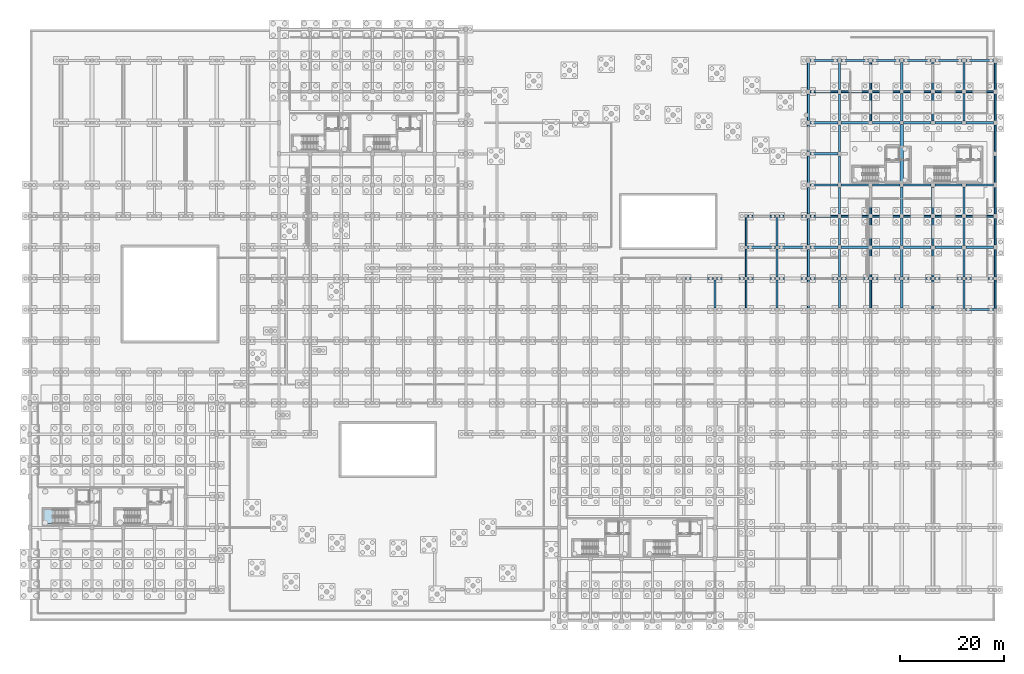
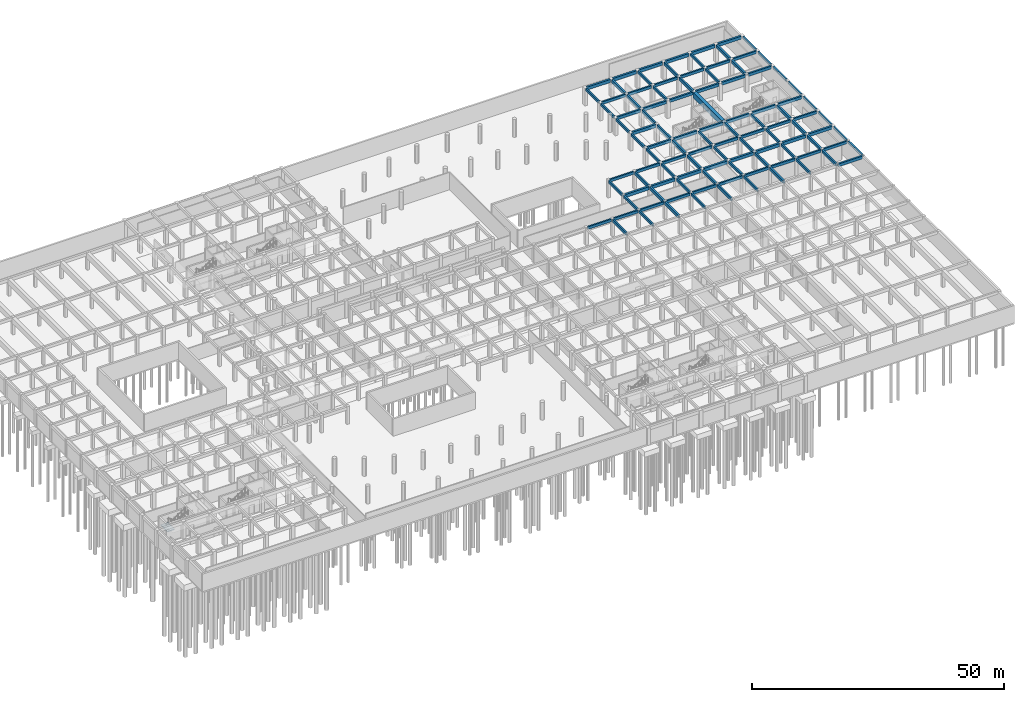
# One storey, part 21 of 41: 108 beams, 1 slab, 1 element without a shape of its own.
"""IFC4 building model written with IfcOpenShell, lengths in metres."""

from ifc_helpers import new_model, si_unit, direction, frame, origin, origin_2d, place, context, subcontext, project, spatial, polyline, rectangle, outline, extrude, material, layer, layer_set, material_profile, profile_set, type_object, element, aggregate, save


model = new_model("IFC4")

# Units and contexts
model_context = context("Model", 3, precision=1e-05, world=origin(), true_north=direction((0.0, 1.0)))
body_context = subcontext(model_context, "Body", "Model", "MODEL_VIEW")
ifc_project = project(units=[si_unit("LENGTHUNIT", "METRE"), si_unit("AREAUNIT", "SQUARE_METRE"), si_unit("VOLUMEUNIT", "CUBIC_METRE"), si_unit("PLANEANGLEUNIT", "RADIAN"), si_unit("MASSUNIT", "GRAM", prefix="KILO"), si_unit("POWERUNIT", "WATT"), si_unit("THERMODYNAMICTEMPERATUREUNIT", "KELVIN")], contexts=[model_context])

# Site, building, storey
site_placement = place(None, origin())
site = spatial("IfcSite", under=ifc_project, at=site_placement, CompositionType="ELEMENT")
building_placement = place(site_placement, origin())
building = spatial("IfcBuilding", under=site, at=building_placement, Name="Ruvembo Vaulted Housing Court", CompositionType="ELEMENT")
storey_placement = place(building_placement, frame((0.0, 0.0, -4.5)))
storey = spatial("IfcBuildingStorey", under=building, at=storey_placement, Name="B1", CompositionType="ELEMENT", Elevation=-4.5)

# Beams
ifc_material_1 = material(Name="Concrete C35/45", Category="concrete")
ifc_material_profile_1 = material_profile(ifc_material_1, rectangle(XDim=0.35009765625, YDim=0.60009765625, at=origin_2d()), Name="RC 350x600")
ifc_profile_set_1 = profile_set([ifc_material_profile_1], Name="Concrete C35/45")
beam_type_1 = type_object("IfcBeamType", Name="BM-RC-350x600", PredefinedType="BEAM", material=ifc_profile_set_1)
for number, where, z_axis, x_axis, name in (
    (1, (138.0, 60.284912109375, 3.9150390625), (0.0, 1.0, 0.0), (-1.0, 0.0, 0.0), "B1 Grid Beam Y #623"),
    (2, (138.0, 66.284912109375, 3.9150390625), (0.0, 1.0, 0.0), (-1.0, 0.0, 0.0), "B1 Grid Beam Y #624"),
    (3, (138.0, 72.284912109375, 3.9150390625), (0.0, 1.0, 0.0), (-1.0, 0.0, 0.0), "B1 Grid Beam Y #625"),
    (4, (150.0, 60.284912109375, 3.9150390625), (0.0, 1.0, 0.0), (-1.0, 0.0, 0.0), "B1 Grid Beam Y #643"),
):
    element("IfcBeam", number, at=place(storey_placement, frame(where, z_axis=z_axis, x_axis=x_axis)), inside=storey, type_object=beam_type_1, Name=name, PredefinedType="BEAM", context=body_context, shape_type="SweptSolid", body=[
        extrude(rectangle(XDim=0.35009765625, YDim=0.60009765625, at=origin_2d()), origin(), (0.0, 0.0, 1.0), 5.43017578125),
    ])
beam_1_placement = place(storey_placement, frame((150.0, 66.284912109375, 3.9150390625), z_axis=(0.0, 1.0, 0.0), x_axis=(-1.0, 0.0, 0.0)))
element("IfcBeam", 5, at=beam_1_placement, inside=storey, type_object=beam_type_1, Name="B1 Grid Beam Y #644", PredefinedType="BEAM", context=body_context, shape_type="SweptSolid", body=[
    extrude(rectangle(XDim=0.35009765625, YDim=0.60009765625, at=origin_2d()), origin(), (0.0, 0.0, 1.0), 5.280029296875),
])
for number, where, z_axis, x_axis, name in (
    (6, (150.0, 72.43505859375, 3.9150390625), (0.0, 1.0, 0.0), (-1.0, 0.0, 0.0), "B1 Grid Beam Y #645"),
    (7, (150.0, 78.43505859375, 3.9150390625), (0.0, 1.0, 0.0), (-1.0, 0.0, 0.0), "B1 Grid Beam Y #646"),
    (8, (150.0, 84.43505859375, 3.9150390625), (0.0, 1.0, 0.0), (-1.0, 0.0, 0.0), "B1 Grid Beam Y #647"),
    (9, (150.0, 90.43505859375, 3.9150390625), (0.0, 1.0, 0.0), (-1.0, 0.0, 0.0), "B1 Grid Beam Y #648"),
    (10, (150.0, 96.43505859375, 3.9150390625), (0.0, 1.0, 0.0), (-1.0, 0.0, 0.0), "B1 Grid Beam Y #649"),
    (11, (150.0, 102.43505859375, 3.9150390625), (0.0, 1.0, 0.0), (-1.0, 0.0, 0.0), "B1 Grid Beam Y #650"),
):
    element("IfcBeam", number, at=place(storey_placement, frame(where, z_axis=z_axis, x_axis=x_axis)), inside=storey, type_object=beam_type_1, Name=name, PredefinedType="BEAM", context=body_context, shape_type="SweptSolid", body=[
        extrude(rectangle(XDim=0.35009765625, YDim=0.60009765625, at=origin_2d()), origin(), (0.0, 0.0, 1.0), 5.1298828125),
    ])
beam_2_placement = place(storey_placement, frame((162.0, 60.284912109375, 3.9150390625), z_axis=(0.0, 1.0, 0.0), x_axis=(-1.0, 0.0, 0.0)))
element("IfcBeam", 12, at=beam_2_placement, inside=storey, type_object=beam_type_1, Name="B1 Grid Beam Y #673", PredefinedType="BEAM", context=body_context, shape_type="SweptSolid", body=[
    extrude(rectangle(XDim=0.35009765625, YDim=0.60009765625, at=origin_2d()), origin(), (0.0, 0.0, 1.0), 5.43017578125),
])
beam_3_placement = place(storey_placement, frame((162.0, 66.284912109375, 3.9150390625), z_axis=(0.0, 1.0, 0.0), x_axis=(-1.0, 0.0, 0.0)))
element("IfcBeam", 13, at=beam_3_placement, inside=storey, type_object=beam_type_1, Name="B1 Grid Beam Y #674", PredefinedType="BEAM", context=body_context, shape_type="SweptSolid", body=[
    extrude(rectangle(XDim=0.35009765625, YDim=0.60009765625, at=origin_2d()), origin(), (0.0, 0.0, 1.0), 5.35498046875),
])
for number, where, z_axis, x_axis, name in (
    (14, (162.0, 72.360107421875, 3.9150390625), (0.0, 1.0, 0.0), (-1.0, 0.0, 0.0), "B1 Grid Beam Y #675"),
    (15, (162.0, 78.360107421875, 3.9150390625), (0.0, 1.0, 0.0), (-1.0, 0.0, 0.0), "B1 Grid Beam Y #676"),
    (16, (162.0, 96.360107421875, 3.9150390625), (0.0, 1.0, 0.0), (-1.0, 0.0, 0.0), "B1 Grid Beam Y #677"),
    (17, (162.0, 102.360107421875, 3.9150390625), (0.0, 1.0, 0.0), (-1.0, 0.0, 0.0), "B1 Grid Beam Y #678"),
):
    element("IfcBeam", number, at=place(storey_placement, frame(where, z_axis=z_axis, x_axis=x_axis)), inside=storey, type_object=beam_type_1, Name=name, PredefinedType="BEAM", context=body_context, shape_type="SweptSolid", body=[
        extrude(rectangle(XDim=0.35009765625, YDim=0.60009765625, at=origin_2d()), origin(), (0.0, 0.0, 1.0), 5.27978515625),
    ])
beam_4_placement = place(storey_placement, frame((174.0, 60.235107421875, 3.9150390625), z_axis=(0.0, 1.0, 0.0), x_axis=(-1.0, 0.0, 0.0)))
element("IfcBeam", 18, at=beam_4_placement, inside=storey, type_object=beam_type_1, Name="B1 Grid Beam Y #700", PredefinedType="BEAM", context=body_context, shape_type="SweptSolid", body=[
    extrude(rectangle(XDim=0.35009765625, YDim=0.60009765625, at=origin_2d()), origin(), (0.0, 0.0, 1.0), 5.47998046875),
])
beam_5_placement = place(storey_placement, frame((174.0, 66.284912109375, 3.9150390625), z_axis=(0.0, 1.0, 0.0), x_axis=(-1.0, 0.0, 0.0)))
element("IfcBeam", 19, at=beam_5_placement, inside=storey, type_object=beam_type_1, Name="B1 Grid Beam Y #701", PredefinedType="BEAM", context=body_context, shape_type="SweptSolid", body=[
    extrude(rectangle(XDim=0.35009765625, YDim=0.60009765625, at=origin_2d()), origin(), (0.0, 0.0, 1.0), 5.35498046875),
])
for number, where, z_axis, x_axis, name in (
    (20, (174.0, 72.360107421875, 3.9150390625), (0.0, 1.0, 0.0), (-1.0, 0.0, 0.0), "B1 Grid Beam Y #702"),
    (21, (174.0, 78.360107421875, 3.9150390625), (0.0, 1.0, 0.0), (-1.0, 0.0, 0.0), "B1 Grid Beam Y #703"),
    (22, (174.0, 96.360107421875, 3.9150390625), (0.0, 1.0, 0.0), (-1.0, 0.0, 0.0), "B1 Grid Beam Y #704"),
    (23, (174.0, 102.360107421875, 3.9150390625), (0.0, 1.0, 0.0), (-1.0, 0.0, 0.0), "B1 Grid Beam Y #705"),
):
    element("IfcBeam", number, at=place(storey_placement, frame(where, z_axis=z_axis, x_axis=x_axis)), inside=storey, type_object=beam_type_1, Name=name, PredefinedType="BEAM", context=body_context, shape_type="SweptSolid", body=[
        extrude(rectangle(XDim=0.35009765625, YDim=0.60009765625, at=origin_2d()), origin(), (0.0, 0.0, 1.0), 5.27978515625),
    ])
beam_6_placement = place(storey_placement, frame((186.0, 60.235107421875, 3.9150390625), z_axis=(0.0, 1.0, 0.0), x_axis=(-1.0, 0.0, 0.0)))
element("IfcBeam", 24, at=beam_6_placement, inside=storey, type_object=beam_type_1, Name="B1 Grid Beam Y #726", PredefinedType="BEAM", context=body_context, shape_type="SweptSolid", body=[
    extrude(rectangle(XDim=0.35009765625, YDim=0.60009765625, at=origin_2d()), origin(), (0.0, 0.0, 1.0), 5.47998046875),
])
beam_7_placement = place(storey_placement, frame((186.0, 66.284912109375, 3.9150390625), z_axis=(0.0, 1.0, 0.0), x_axis=(-1.0, 0.0, 0.0)))
element("IfcBeam", 25, at=beam_7_placement, inside=storey, type_object=beam_type_1, Name="B1 Grid Beam Y #727", PredefinedType="BEAM", context=body_context, shape_type="SweptSolid", body=[
    extrude(rectangle(XDim=0.35009765625, YDim=0.60009765625, at=origin_2d()), origin(), (0.0, 0.0, 1.0), 5.280029296875),
])
for number, where, z_axis, x_axis, name in (
    (26, (186.0, 72.43505859375, 3.9150390625), (0.0, 1.0, 0.0), (-1.0, 0.0, 0.0), "B1 Grid Beam Y #728"),
    (27, (186.0, 78.43505859375, 3.9150390625), (0.0, 1.0, 0.0), (-1.0, 0.0, 0.0), "B1 Grid Beam Y #729"),
    (28, (186.0, 84.43505859375, 3.9150390625), (0.0, 1.0, 0.0), (-1.0, 0.0, 0.0), "B1 Grid Beam Y #730"),
    (29, (186.0, 90.43505859375, 3.9150390625), (0.0, 1.0, 0.0), (-1.0, 0.0, 0.0), "B1 Grid Beam Y #731"),
    (30, (186.0, 96.43505859375, 3.9150390625), (0.0, 1.0, 0.0), (-1.0, 0.0, 0.0), "B1 Grid Beam Y #732"),
    (31, (186.0, 102.43505859375, 3.9150390625), (0.0, 1.0, 0.0), (-1.0, 0.0, 0.0), "B1 Grid Beam Y #733"),
):
    element("IfcBeam", number, at=place(storey_placement, frame(where, z_axis=z_axis, x_axis=x_axis)), inside=storey, type_object=beam_type_1, Name=name, PredefinedType="BEAM", context=body_context, shape_type="SweptSolid", body=[
        extrude(rectangle(XDim=0.35009765625, YDim=0.60009765625, at=origin_2d()), origin(), (0.0, 0.0, 1.0), 5.1298828125),
    ])
ifc_material_profile_2 = material_profile(ifc_material_1, rectangle(XDim=0.35009765625, YDim=0.64990234375, at=origin_2d()), Name="RC 350x650")
ifc_profile_set_2 = profile_set([ifc_material_profile_2], Name="Concrete C35/45")
beam_type_2 = type_object("IfcBeamType", Name="BM-RC-350x650", PredefinedType="BEAM", material=ifc_profile_set_2)
for number, where, z_axis, x_axis, name in (
    (32, (126.284912109375, 66.0, 3.889892578125), (1.0, 0.0, 0.0), (0.0, 1.0, 0.0), "B1 Grid Beam X #236"),
    (33, (132.284912109375, 66.0, 3.889892578125), (1.0, 0.0, 0.0), (0.0, 1.0, 0.0), "B1 Grid Beam X #237"),
    (34, (138.284912109375, 66.0, 3.889892578125), (1.0, 0.0, 0.0), (0.0, 1.0, 0.0), "B1 Grid Beam X #238"),
    (35, (144.284912109375, 66.0, 3.889892578125), (1.0, 0.0, 0.0), (0.0, 1.0, 0.0), "B1 Grid Beam X #239"),
    (36, (150.284912109375, 66.0, 3.889892578125), (1.0, 0.0, 0.0), (0.0, 1.0, 0.0), "B1 Grid Beam X #240"),
    (37, (156.284912109375, 66.0, 3.889892578125), (1.0, 0.0, 0.0), (0.0, 1.0, 0.0), "B1 Grid Beam X #241"),
    (38, (162.284912109375, 66.0, 3.889892578125), (1.0, 0.0, 0.0), (0.0, 1.0, 0.0), "B1 Grid Beam X #242"),
    (39, (168.284912109375, 66.0, 3.889892578125), (1.0, 0.0, 0.0), (0.0, 1.0, 0.0), "B1 Grid Beam X #243"),
    (40, (174.284912109375, 66.0, 3.889892578125), (1.0, 0.0, 0.0), (0.0, 1.0, 0.0), "B1 Grid Beam X #244"),
    (41, (180.284912109375, 66.0, 3.889892578125), (1.0, 0.0, 0.0), (0.0, 1.0, 0.0), "B1 Grid Beam X #245"),
    (42, (138.284912109375, 78.0, 3.889892578125), (1.0, 0.0, 0.0), (0.0, 1.0, 0.0), "B1 Grid Beam X #292"),
):
    element("IfcBeam", number, at=place(storey_placement, frame(where, z_axis=z_axis, x_axis=x_axis)), inside=storey, type_object=beam_type_2, Name=name, PredefinedType="BEAM", context=body_context, shape_type="SweptSolid", body=[
        extrude(rectangle(XDim=0.35009765625, YDim=0.64990234375, at=origin_2d()), origin(), (0.0, 0.0, 1.0), 5.43017578125),
    ])
beam_8_placement = place(storey_placement, frame((144.284912109375, 78.0, 3.889892578125), z_axis=(1.0, 0.0, 0.0), x_axis=(0.0, 1.0, 0.0)))
element("IfcBeam", 43, at=beam_8_placement, inside=storey, type_object=beam_type_2, Name="B1 Grid Beam X #293", PredefinedType="BEAM", context=body_context, shape_type="SweptSolid", body=[
    extrude(rectangle(XDim=0.35009765625, YDim=0.64990234375, at=origin_2d()), origin(), (0.0, 0.0, 1.0), 5.405029296875),
])
beam_9_placement = place(storey_placement, frame((150.31005859375, 78.0, 3.889892578125), z_axis=(1.0, 0.0, 0.0), x_axis=(0.0, 1.0, 0.0)))
element("IfcBeam", 44, at=beam_9_placement, inside=storey, type_object=beam_type_2, Name="B1 Grid Beam X #294", PredefinedType="BEAM", context=body_context, shape_type="SweptSolid", body=[
    extrude(rectangle(XDim=0.35009765625, YDim=0.64990234375, at=origin_2d()), origin(), (0.0, 0.0, 1.0), 5.3798828125),
])
beam_10_placement = place(storey_placement, frame((156.31005859375, 78.0, 3.889892578125), z_axis=(1.0, 0.0, 0.0), x_axis=(0.0, 1.0, 0.0)))
element("IfcBeam", 45, at=beam_10_placement, inside=storey, type_object=beam_type_2, Name="B1 Grid Beam X #295", PredefinedType="BEAM", context=body_context, shape_type="SweptSolid", body=[
    extrude(rectangle(XDim=0.35009765625, YDim=0.64990234375, at=origin_2d()), origin(), (0.0, 0.0, 1.0), 5.329833984375),
])
for number, where, z_axis, x_axis, name in (
    (46, (162.360107421875, 78.0, 3.889892578125), (1.0, 0.0, 0.0), (0.0, 1.0, 0.0), "B1 Grid Beam X #296"),
    (47, (168.360107421875, 78.0, 3.889892578125), (1.0, 0.0, 0.0), (0.0, 1.0, 0.0), "B1 Grid Beam X #297"),
    (48, (174.360107421875, 78.0, 3.889892578125), (1.0, 0.0, 0.0), (0.0, 1.0, 0.0), "B1 Grid Beam X #298"),
):
    element("IfcBeam", number, at=place(storey_placement, frame(where, z_axis=z_axis, x_axis=x_axis)), inside=storey, type_object=beam_type_2, Name=name, PredefinedType="BEAM", context=body_context, shape_type="SweptSolid", body=[
        extrude(rectangle(XDim=0.35009765625, YDim=0.64990234375, at=origin_2d()), origin(), (0.0, 0.0, 1.0), 5.27978515625),
    ])
beam_11_placement = place(storey_placement, frame((180.360107421875, 78.0, 3.889892578125), z_axis=(1.0, 0.0, 0.0), x_axis=(0.0, 1.0, 0.0)))
element("IfcBeam", 49, at=beam_11_placement, inside=storey, type_object=beam_type_2, Name="B1 Grid Beam X #299", PredefinedType="BEAM", context=body_context, shape_type="SweptSolid", body=[
    extrude(rectangle(XDim=0.35009765625, YDim=0.64990234375, at=origin_2d()), origin(), (0.0, 0.0, 1.0), 5.329833984375),
])
beam_12_placement = place(storey_placement, frame((150.31005859375, 102.0, 3.889892578125), z_axis=(1.0, 0.0, 0.0), x_axis=(0.0, 1.0, 0.0)))
element("IfcBeam", 50, at=beam_12_placement, inside=storey, type_object=beam_type_2, Name="B1 Grid Beam X #347", PredefinedType="BEAM", context=body_context, shape_type="SweptSolid", body=[
    extrude(rectangle(XDim=0.35009765625, YDim=0.64990234375, at=origin_2d()), origin(), (0.0, 0.0, 1.0), 5.3798828125),
])
beam_13_placement = place(storey_placement, frame((156.31005859375, 102.0, 3.889892578125), z_axis=(1.0, 0.0, 0.0), x_axis=(0.0, 1.0, 0.0)))
element("IfcBeam", 51, at=beam_13_placement, inside=storey, type_object=beam_type_2, Name="B1 Grid Beam X #348", PredefinedType="BEAM", context=body_context, shape_type="SweptSolid", body=[
    extrude(rectangle(XDim=0.35009765625, YDim=0.64990234375, at=origin_2d()), origin(), (0.0, 0.0, 1.0), 5.329833984375),
])
for number, where, z_axis, x_axis, name in (
    (52, (162.360107421875, 102.0, 3.889892578125), (1.0, 0.0, 0.0), (0.0, 1.0, 0.0), "B1 Grid Beam X #349"),
    (53, (168.360107421875, 102.0, 3.889892578125), (1.0, 0.0, 0.0), (0.0, 1.0, 0.0), "B1 Grid Beam X #350"),
    (54, (174.360107421875, 102.0, 3.889892578125), (1.0, 0.0, 0.0), (0.0, 1.0, 0.0), "B1 Grid Beam X #351"),
):
    element("IfcBeam", number, at=place(storey_placement, frame(where, z_axis=z_axis, x_axis=x_axis)), inside=storey, type_object=beam_type_2, Name=name, PredefinedType="BEAM", context=body_context, shape_type="SweptSolid", body=[
        extrude(rectangle(XDim=0.35009765625, YDim=0.64990234375, at=origin_2d()), origin(), (0.0, 0.0, 1.0), 5.27978515625),
    ])
beam_14_placement = place(storey_placement, frame((180.360107421875, 102.0, 3.889892578125), z_axis=(1.0, 0.0, 0.0), x_axis=(0.0, 1.0, 0.0)))
element("IfcBeam", 55, at=beam_14_placement, inside=storey, type_object=beam_type_2, Name="B1 Grid Beam X #352", PredefinedType="BEAM", context=body_context, shape_type="SweptSolid", body=[
    extrude(rectangle(XDim=0.35009765625, YDim=0.64990234375, at=origin_2d()), origin(), (0.0, 0.0, 1.0), 5.329833984375),
])
ifc_material_profile_3 = material_profile(ifc_material_1, rectangle(XDim=0.39990234375, YDim=0.699951171875, at=origin_2d()), Name="RC 400x700")
ifc_profile_set_3 = profile_set([ifc_material_profile_3], Name="Concrete C35/45")
beam_type_3 = type_object("IfcBeamType", Name="BM-RC-400x700", PredefinedType="BEAM", material=ifc_profile_set_3)
beam_15_placement = place(storey_placement, frame((180.235107421875, 60.0, 3.864990234375), z_axis=(1.0, 0.0, 0.0), x_axis=(0.0, 1.0, 0.0)))
element("IfcBeam", 56, at=beam_15_placement, inside=storey, type_object=beam_type_3, Name="B1 Grid Beam X #220", PredefinedType="BEAM", context=body_context, shape_type="SweptSolid", body=[
    extrude(rectangle(XDim=0.39990234375, YDim=0.699951171875, at=origin_2d()), origin(), (0.0, 0.0, 1.0), 5.52978515625),
])
beam_16_placement = place(storey_placement, frame((150.31005859375, 84.0, 3.864990234375), z_axis=(1.0, 0.0, 0.0), x_axis=(0.0, 1.0, 0.0)))
element("IfcBeam", 57, at=beam_16_placement, inside=storey, type_object=beam_type_3, Name="B1 Grid Beam X #314", PredefinedType="BEAM", context=body_context, shape_type="SweptSolid", body=[
    extrude(rectangle(XDim=0.39990234375, YDim=0.699951171875, at=origin_2d()), origin(), (0.0, 0.0, 1.0), 5.3798828125),
])
beam_17_placement = place(storey_placement, frame((156.31005859375, 84.0, 3.864990234375), z_axis=(1.0, 0.0, 0.0), x_axis=(0.0, 1.0, 0.0)))
element("IfcBeam", 58, at=beam_17_placement, inside=storey, type_object=beam_type_3, Name="B1 Grid Beam X #315", PredefinedType="BEAM", context=body_context, shape_type="SweptSolid", body=[
    extrude(rectangle(XDim=0.39990234375, YDim=0.699951171875, at=origin_2d()), origin(), (0.0, 0.0, 1.0), 5.329833984375),
])
for number, where, z_axis, x_axis, name in (
    (59, (162.360107421875, 84.0, 3.864990234375), (1.0, 0.0, 0.0), (0.0, 1.0, 0.0), "B1 Grid Beam X #316"),
    (60, (168.360107421875, 84.0, 3.864990234375), (1.0, 0.0, 0.0), (0.0, 1.0, 0.0), "B1 Grid Beam X #317"),
    (61, (174.360107421875, 84.0, 3.864990234375), (1.0, 0.0, 0.0), (0.0, 1.0, 0.0), "B1 Grid Beam X #318"),
):
    element("IfcBeam", number, at=place(storey_placement, frame(where, z_axis=z_axis, x_axis=x_axis)), inside=storey, type_object=beam_type_3, Name=name, PredefinedType="BEAM", context=body_context, shape_type="SweptSolid", body=[
        extrude(rectangle(XDim=0.39990234375, YDim=0.699951171875, at=origin_2d()), origin(), (0.0, 0.0, 1.0), 5.27978515625),
    ])
beam_18_placement = place(storey_placement, frame((180.360107421875, 84.0, 3.864990234375), z_axis=(1.0, 0.0, 0.0), x_axis=(0.0, 1.0, 0.0)))
element("IfcBeam", 62, at=beam_18_placement, inside=storey, type_object=beam_type_3, Name="B1 Grid Beam X #319", PredefinedType="BEAM", context=body_context, shape_type="SweptSolid", body=[
    extrude(rectangle(XDim=0.39990234375, YDim=0.699951171875, at=origin_2d()), origin(), (0.0, 0.0, 1.0), 5.329833984375),
])
beam_19_placement = place(storey_placement, frame((150.31005859375, 96.0, 3.864990234375), z_axis=(1.0, 0.0, 0.0), x_axis=(0.0, 1.0, 0.0)))
element("IfcBeam", 63, at=beam_19_placement, inside=storey, type_object=beam_type_3, Name="B1 Grid Beam X #335", PredefinedType="BEAM", context=body_context, shape_type="SweptSolid", body=[
    extrude(rectangle(XDim=0.39990234375, YDim=0.699951171875, at=origin_2d()), origin(), (0.0, 0.0, 1.0), 5.3798828125),
])
beam_20_placement = place(storey_placement, frame((156.31005859375, 96.0, 3.864990234375), z_axis=(1.0, 0.0, 0.0), x_axis=(0.0, 1.0, 0.0)))
element("IfcBeam", 64, at=beam_20_placement, inside=storey, type_object=beam_type_3, Name="B1 Grid Beam X #336", PredefinedType="BEAM", context=body_context, shape_type="SweptSolid", body=[
    extrude(rectangle(XDim=0.39990234375, YDim=0.699951171875, at=origin_2d()), origin(), (0.0, 0.0, 1.0), 5.329833984375),
])
for number, where, z_axis, x_axis, name in (
    (65, (162.360107421875, 96.0, 3.864990234375), (1.0, 0.0, 0.0), (0.0, 1.0, 0.0), "B1 Grid Beam X #337"),
    (66, (168.360107421875, 96.0, 3.864990234375), (1.0, 0.0, 0.0), (0.0, 1.0, 0.0), "B1 Grid Beam X #338"),
    (67, (174.360107421875, 96.0, 3.864990234375), (1.0, 0.0, 0.0), (0.0, 1.0, 0.0), "B1 Grid Beam X #339"),
):
    element("IfcBeam", number, at=place(storey_placement, frame(where, z_axis=z_axis, x_axis=x_axis)), inside=storey, type_object=beam_type_3, Name=name, PredefinedType="BEAM", context=body_context, shape_type="SweptSolid", body=[
        extrude(rectangle(XDim=0.39990234375, YDim=0.699951171875, at=origin_2d()), origin(), (0.0, 0.0, 1.0), 5.27978515625),
    ])
beam_21_placement = place(storey_placement, frame((180.360107421875, 96.0, 3.864990234375), z_axis=(1.0, 0.0, 0.0), x_axis=(0.0, 1.0, 0.0)))
element("IfcBeam", 68, at=beam_21_placement, inside=storey, type_object=beam_type_3, Name="B1 Grid Beam X #340", PredefinedType="BEAM", context=body_context, shape_type="SweptSolid", body=[
    extrude(rectangle(XDim=0.39990234375, YDim=0.699951171875, at=origin_2d()), origin(), (0.0, 0.0, 1.0), 5.329833984375),
])
for number, where, z_axis, x_axis, name in (
    (69, (132.0, 60.284912109375, 3.864990234375), (0.0, 1.0, 0.0), (-1.0, 0.0, 0.0), "B1 Grid Beam Y #612"),
    (70, (144.0, 60.284912109375, 3.864990234375), (0.0, 1.0, 0.0), (-1.0, 0.0, 0.0), "B1 Grid Beam Y #633"),
    (71, (144.0, 66.284912109375, 3.864990234375), (0.0, 1.0, 0.0), (-1.0, 0.0, 0.0), "B1 Grid Beam Y #634"),
    (72, (144.0, 72.284912109375, 3.864990234375), (0.0, 1.0, 0.0), (-1.0, 0.0, 0.0), "B1 Grid Beam Y #635"),
    (73, (156.0, 60.284912109375, 3.864990234375), (0.0, 1.0, 0.0), (-1.0, 0.0, 0.0), "B1 Grid Beam Y #658"),
):
    element("IfcBeam", number, at=place(storey_placement, frame(where, z_axis=z_axis, x_axis=x_axis)), inside=storey, type_object=beam_type_3, Name=name, PredefinedType="BEAM", context=body_context, shape_type="SweptSolid", body=[
        extrude(rectangle(XDim=0.39990234375, YDim=0.699951171875, at=origin_2d()), origin(), (0.0, 0.0, 1.0), 5.43017578125),
    ])
beam_22_placement = place(storey_placement, frame((156.0, 66.284912109375, 3.864990234375), z_axis=(0.0, 1.0, 0.0), x_axis=(-1.0, 0.0, 0.0)))
element("IfcBeam", 74, at=beam_22_placement, inside=storey, type_object=beam_type_3, Name="B1 Grid Beam Y #659", PredefinedType="BEAM", context=body_context, shape_type="SweptSolid", body=[
    extrude(rectangle(XDim=0.39990234375, YDim=0.699951171875, at=origin_2d()), origin(), (0.0, 0.0, 1.0), 5.280029296875),
])
for number, where, z_axis, x_axis, name in (
    (75, (156.0, 72.43505859375, 3.864990234375), (0.0, 1.0, 0.0), (-1.0, 0.0, 0.0), "B1 Grid Beam Y #660"),
    (76, (156.0, 78.43505859375, 3.864990234375), (0.0, 1.0, 0.0), (-1.0, 0.0, 0.0), "B1 Grid Beam Y #661"),
    (77, (156.0, 84.43505859375, 3.864990234375), (0.0, 1.0, 0.0), (-1.0, 0.0, 0.0), "B1 Grid Beam Y #662"),
    (78, (156.0, 90.43505859375, 3.864990234375), (0.0, 1.0, 0.0), (-1.0, 0.0, 0.0), "B1 Grid Beam Y #663"),
    (79, (156.0, 96.43505859375, 3.864990234375), (0.0, 1.0, 0.0), (-1.0, 0.0, 0.0), "B1 Grid Beam Y #664"),
    (80, (156.0, 102.43505859375, 3.864990234375), (0.0, 1.0, 0.0), (-1.0, 0.0, 0.0), "B1 Grid Beam Y #665"),
):
    element("IfcBeam", number, at=place(storey_placement, frame(where, z_axis=z_axis, x_axis=x_axis)), inside=storey, type_object=beam_type_3, Name=name, PredefinedType="BEAM", context=body_context, shape_type="SweptSolid", body=[
        extrude(rectangle(XDim=0.39990234375, YDim=0.699951171875, at=origin_2d()), origin(), (0.0, 0.0, 1.0), 5.1298828125),
    ])
beam_23_placement = place(storey_placement, frame((168.0, 60.284912109375, 3.864990234375), z_axis=(0.0, 1.0, 0.0), x_axis=(-1.0, 0.0, 0.0)))
element("IfcBeam", 81, at=beam_23_placement, inside=storey, type_object=beam_type_3, Name="B1 Grid Beam Y #686", PredefinedType="BEAM", context=body_context, shape_type="SweptSolid", body=[
    extrude(rectangle(XDim=0.39990234375, YDim=0.699951171875, at=origin_2d()), origin(), (0.0, 0.0, 1.0), 5.43017578125),
])
beam_24_placement = place(storey_placement, frame((168.0, 66.284912109375, 3.864990234375), z_axis=(0.0, 1.0, 0.0), x_axis=(-1.0, 0.0, 0.0)))
element("IfcBeam", 82, at=beam_24_placement, inside=storey, type_object=beam_type_3, Name="B1 Grid Beam Y #687", PredefinedType="BEAM", context=body_context, shape_type="SweptSolid", body=[
    extrude(rectangle(XDim=0.39990234375, YDim=0.699951171875, at=origin_2d()), origin(), (0.0, 0.0, 1.0), 5.35498046875),
])
for number, where, z_axis, x_axis, name in (
    (83, (168.0, 72.360107421875, 3.864990234375), (0.0, 1.0, 0.0), (-1.0, 0.0, 0.0), "B1 Grid Beam Y #688"),
    (84, (168.0, 78.360107421875, 3.864990234375), (0.0, 1.0, 0.0), (-1.0, 0.0, 0.0), "B1 Grid Beam Y #689"),
    (85, (168.0, 96.360107421875, 3.864990234375), (0.0, 1.0, 0.0), (-1.0, 0.0, 0.0), "B1 Grid Beam Y #691"),
    (86, (168.0, 102.360107421875, 3.864990234375), (0.0, 1.0, 0.0), (-1.0, 0.0, 0.0), "B1 Grid Beam Y #692"),
):
    element("IfcBeam", number, at=place(storey_placement, frame(where, z_axis=z_axis, x_axis=x_axis)), inside=storey, type_object=beam_type_3, Name=name, PredefinedType="BEAM", context=body_context, shape_type="SweptSolid", body=[
        extrude(rectangle(XDim=0.39990234375, YDim=0.699951171875, at=origin_2d()), origin(), (0.0, 0.0, 1.0), 5.27978515625),
    ])
beam_25_placement = place(storey_placement, frame((180.0, 60.235107421875, 3.864990234375), z_axis=(0.0, 1.0, 0.0), x_axis=(-1.0, 0.0, 0.0)))
element("IfcBeam", 87, at=beam_25_placement, inside=storey, type_object=beam_type_3, Name="B1 Grid Beam Y #713", PredefinedType="BEAM", context=body_context, shape_type="SweptSolid", body=[
    extrude(rectangle(XDim=0.39990234375, YDim=0.699951171875, at=origin_2d()), origin(), (0.0, 0.0, 1.0), 5.47998046875),
])
beam_26_placement = place(storey_placement, frame((180.0, 66.284912109375, 3.864990234375), z_axis=(0.0, 1.0, 0.0), x_axis=(-1.0, 0.0, 0.0)))
element("IfcBeam", 88, at=beam_26_placement, inside=storey, type_object=beam_type_3, Name="B1 Grid Beam Y #714", PredefinedType="BEAM", context=body_context, shape_type="SweptSolid", body=[
    extrude(rectangle(XDim=0.39990234375, YDim=0.699951171875, at=origin_2d()), origin(), (0.0, 0.0, 1.0), 5.35498046875),
])
for number, where, z_axis, x_axis, name in (
    (89, (180.0, 72.360107421875, 3.864990234375), (0.0, 1.0, 0.0), (-1.0, 0.0, 0.0), "B1 Grid Beam Y #715"),
    (90, (180.0, 78.360107421875, 3.864990234375), (0.0, 1.0, 0.0), (-1.0, 0.0, 0.0), "B1 Grid Beam Y #716"),
    (91, (180.0, 96.360107421875, 3.864990234375), (0.0, 1.0, 0.0), (-1.0, 0.0, 0.0), "B1 Grid Beam Y #717"),
    (92, (180.0, 102.360107421875, 3.864990234375), (0.0, 1.0, 0.0), (-1.0, 0.0, 0.0), "B1 Grid Beam Y #718"),
):
    element("IfcBeam", number, at=place(storey_placement, frame(where, z_axis=z_axis, x_axis=x_axis)), inside=storey, type_object=beam_type_3, Name=name, PredefinedType="BEAM", context=body_context, shape_type="SweptSolid", body=[
        extrude(rectangle(XDim=0.39990234375, YDim=0.699951171875, at=origin_2d()), origin(), (0.0, 0.0, 1.0), 5.27978515625),
    ])
ifc_material_profile_4 = material_profile(ifc_material_1, rectangle(XDim=0.449951171875, YDim=0.75, at=origin_2d()), Name="RC 450x750")
ifc_profile_set_4 = profile_set([ifc_material_profile_4], Name="Concrete C35/45")
beam_type_4 = type_object("IfcBeamType", Name="BM-RC-450x750", PredefinedType="BEAM", material=ifc_profile_set_4)
beam_27_placement = place(storey_placement, frame((138.284912109375, 72.0, 3.840087890625), z_axis=(1.0, 0.0, 0.0), x_axis=(0.0, 1.0, 0.0)))
element("IfcBeam", 93, at=beam_27_placement, inside=storey, type_object=beam_type_4, Name="B1 Grid Beam X #266", PredefinedType="BEAM", context=body_context, shape_type="SweptSolid", body=[
    extrude(rectangle(XDim=0.449951171875, YDim=0.75, at=origin_2d()), origin(), (0.0, 0.0, 1.0), 5.43017578125),
])
beam_28_placement = place(storey_placement, frame((144.284912109375, 72.0, 3.840087890625), z_axis=(1.0, 0.0, 0.0), x_axis=(0.0, 1.0, 0.0)))
element("IfcBeam", 94, at=beam_28_placement, inside=storey, type_object=beam_type_4, Name="B1 Grid Beam X #267", PredefinedType="BEAM", context=body_context, shape_type="SweptSolid", body=[
    extrude(rectangle(XDim=0.449951171875, YDim=0.75, at=origin_2d()), origin(), (0.0, 0.0, 1.0), 5.405029296875),
])
beam_29_placement = place(storey_placement, frame((150.31005859375, 72.0, 3.840087890625), z_axis=(1.0, 0.0, 0.0), x_axis=(0.0, 1.0, 0.0)))
element("IfcBeam", 95, at=beam_29_placement, inside=storey, type_object=beam_type_4, Name="B1 Grid Beam X #268", PredefinedType="BEAM", context=body_context, shape_type="SweptSolid", body=[
    extrude(rectangle(XDim=0.449951171875, YDim=0.75, at=origin_2d()), origin(), (0.0, 0.0, 1.0), 5.3798828125),
])
beam_30_placement = place(storey_placement, frame((156.31005859375, 72.0, 3.840087890625), z_axis=(1.0, 0.0, 0.0), x_axis=(0.0, 1.0, 0.0)))
element("IfcBeam", 96, at=beam_30_placement, inside=storey, type_object=beam_type_4, Name="B1 Grid Beam X #269", PredefinedType="BEAM", context=body_context, shape_type="SweptSolid", body=[
    extrude(rectangle(XDim=0.449951171875, YDim=0.75, at=origin_2d()), origin(), (0.0, 0.0, 1.0), 5.329833984375),
])
for number, where, z_axis, x_axis, name in (
    (97, (162.360107421875, 72.0, 3.840087890625), (1.0, 0.0, 0.0), (0.0, 1.0, 0.0), "B1 Grid Beam X #270"),
    (98, (168.360107421875, 72.0, 3.840087890625), (1.0, 0.0, 0.0), (0.0, 1.0, 0.0), "B1 Grid Beam X #271"),
    (99, (174.360107421875, 72.0, 3.840087890625), (1.0, 0.0, 0.0), (0.0, 1.0, 0.0), "B1 Grid Beam X #272"),
):
    element("IfcBeam", number, at=place(storey_placement, frame(where, z_axis=z_axis, x_axis=x_axis)), inside=storey, type_object=beam_type_4, Name=name, PredefinedType="BEAM", context=body_context, shape_type="SweptSolid", body=[
        extrude(rectangle(XDim=0.449951171875, YDim=0.75, at=origin_2d()), origin(), (0.0, 0.0, 1.0), 5.27978515625),
    ])
beam_31_placement = place(storey_placement, frame((180.360107421875, 72.0, 3.840087890625), z_axis=(1.0, 0.0, 0.0), x_axis=(0.0, 1.0, 0.0)))
element("IfcBeam", 100, at=beam_31_placement, inside=storey, type_object=beam_type_4, Name="B1 Grid Beam X #273", PredefinedType="BEAM", context=body_context, shape_type="SweptSolid", body=[
    extrude(rectangle(XDim=0.449951171875, YDim=0.75, at=origin_2d()), origin(), (0.0, 0.0, 1.0), 5.329833984375),
])
for number, where, z_axis, x_axis, name in (
    (101, (150.31005859375, 90.0, 3.840087890625), (1.0, 0.0, 0.0), (0.0, 1.0, 0.0), "B1 Grid Beam X #326"),
    (102, (150.31005859375, 108.0, 3.840087890625), (1.0, 0.0, 0.0), (0.0, 1.0, 0.0), "B1 Grid Beam X #366"),
):
    element("IfcBeam", number, at=place(storey_placement, frame(where, z_axis=z_axis, x_axis=x_axis)), inside=storey, type_object=beam_type_4, Name=name, PredefinedType="BEAM", context=body_context, shape_type="SweptSolid", body=[
        extrude(rectangle(XDim=0.449951171875, YDim=0.75, at=origin_2d()), origin(), (0.0, 0.0, 1.0), 5.3798828125),
    ])
beam_32_placement = place(storey_placement, frame((156.31005859375, 108.0, 3.840087890625), z_axis=(1.0, 0.0, 0.0), x_axis=(0.0, 1.0, 0.0)))
element("IfcBeam", 103, at=beam_32_placement, inside=storey, type_object=beam_type_4, Name="B1 Grid Beam X #367", PredefinedType="BEAM", context=body_context, shape_type="SweptSolid", body=[
    extrude(rectangle(XDim=0.449951171875, YDim=0.75, at=origin_2d()), origin(), (0.0, 0.0, 1.0), 5.329833984375),
])
for number, where, z_axis, x_axis, name in (
    (104, (162.360107421875, 108.0, 3.840087890625), (1.0, 0.0, 0.0), (0.0, 1.0, 0.0), "B1 Grid Beam X #368"),
    (105, (168.360107421875, 108.0, 3.840087890625), (1.0, 0.0, 0.0), (0.0, 1.0, 0.0), "B1 Grid Beam X #369"),
    (106, (174.360107421875, 108.0, 3.840087890625), (1.0, 0.0, 0.0), (0.0, 1.0, 0.0), "B1 Grid Beam X #370"),
):
    element("IfcBeam", number, at=place(storey_placement, frame(where, z_axis=z_axis, x_axis=x_axis)), inside=storey, type_object=beam_type_4, Name=name, PredefinedType="BEAM", context=body_context, shape_type="SweptSolid", body=[
        extrude(rectangle(XDim=0.449951171875, YDim=0.75, at=origin_2d()), origin(), (0.0, 0.0, 1.0), 5.27978515625),
    ])
beam_33_placement = place(storey_placement, frame((180.360107421875, 108.0, 3.840087890625), z_axis=(1.0, 0.0, 0.0), x_axis=(0.0, 1.0, 0.0)))
element("IfcBeam", 107, at=beam_33_placement, inside=storey, type_object=beam_type_4, Name="B1 Grid Beam X #371", PredefinedType="BEAM", context=body_context, shape_type="SweptSolid", body=[
    extrude(rectangle(XDim=0.449951171875, YDim=0.75, at=origin_2d()), origin(), (0.0, 0.0, 1.0), 5.329833984375),
])
ifc_material_2 = material(Name="Concrete C40/50", Category="concrete")
ifc_material_profile_5 = material_profile(ifc_material_2, rectangle(XDim=0.75, YDim=1.300048828125, at=origin_2d()), Name="RC 750x1300")
ifc_profile_set_5 = profile_set([ifc_material_profile_5], Name="Concrete C40/50")
beam_type_5 = type_object("IfcBeamType", Name="TB-RC-750x1300", PredefinedType="BEAM", material=ifc_profile_set_5)
beam_34_placement = place(storey_placement, frame((168.0, 84.360107421875, 3.56494140625), z_axis=(0.0, 1.0, 0.0), x_axis=(-1.0, 0.0, 0.0)))
element("IfcBeam", 108, at=beam_34_placement, inside=storey, type_object=beam_type_5, Name="B1 Grid Beam Y #690", PredefinedType="BEAM", context=body_context, shape_type="SweptSolid", body=[
    extrude(rectangle(XDim=0.75, YDim=1.300048828125, at=origin_2d()), origin(), (0.0, 0.0, 1.0), 11.27978515625),
])

# Stair, slab
stair_type = type_object("IfcStairType", Name="STR-CORE-1250", PredefinedType="HALF_TURN_STAIR", material=ifc_material_1)
stair_placement = place(storey_placement, origin())
stair = element("IfcStair", 109, at=stair_placement, inside=storey, type_object=stair_type, Name="B1 Protected Exit Stair ST-A1", PredefinedType="HALF_TURN_STAIR")
ifc_material_3 = material(Name="Concrete C30/37", Category="concrete")
ifc_layer = layer(ifc_material_3, 0.201904296875, Name="Concrete C30/37")
ifc_layer_set = layer_set([ifc_layer], Name="Concrete C30/37")
slab_type = type_object("IfcSlabType", Name="SL-LAND-202", PredefinedType="LANDING", material=ifc_layer_set)
slab_placement = place(storey_placement, frame((0.0, 0.0, 2.050048828125)))
slab = element("IfcSlab", 110, at=slab_placement, type_object=slab_type, Name="ST-A1 landing 1", PredefinedType="LANDING", context=body_context, shape_type="SweptSolid", body=[
    extrude(outline(polyline([(4.419921875, 21.449951171875), (2.75, 21.449951171875), (2.75, 18.75), (4.419921875, 18.75), (4.419921875, 21.449951171875)])), origin(), (0.0, 0.0, 1.0), 0.199951171875),
])
aggregate(stair, [slab])

save(model, "model.ifc")
